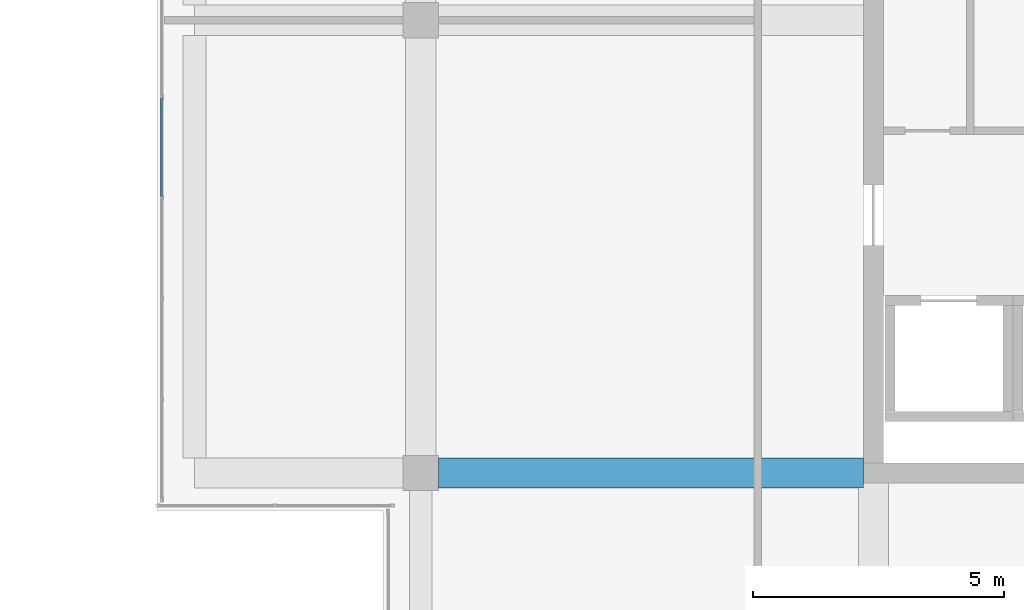
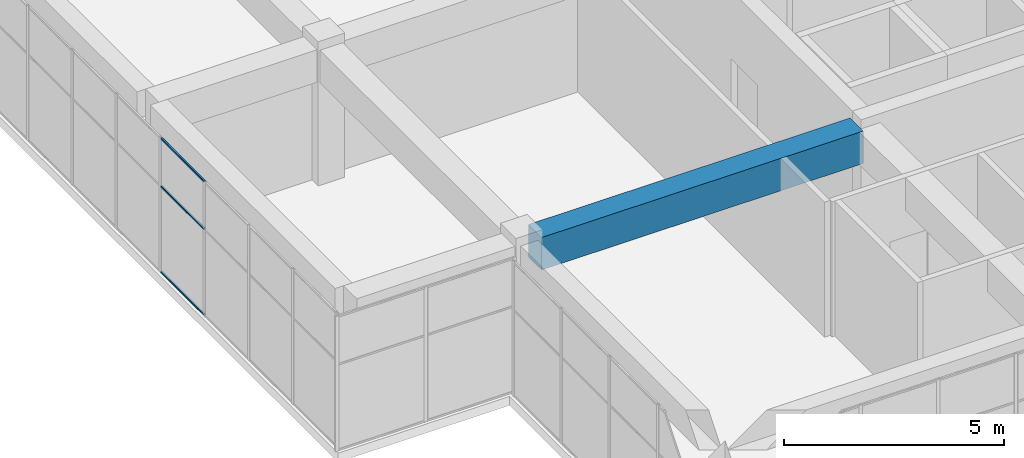
# One storey, part 14 of 43: 3 members, 1 beam, 1 element without a shape of its own.
"""IFC4 building model written with IfcOpenShell, lengths in metres."""

from ifc_helpers import new_model, si_unit, direction, frame, origin, origin_2d, place, context, subcontext, project, spatial, rectangle, hollow_rectangle, extrude, material, layer, layer_set, material_profile, profile_set, type_object, element, aggregate, save


model = new_model("IFC4")

# Units and contexts
model_context = context("Model", 3, precision=1e-05, world=origin(), true_north=direction((0.0, 1.0)))
body_context = subcontext(model_context, "Body", "Model", "MODEL_VIEW")
ifc_project = project(units=[si_unit("LENGTHUNIT", "METRE"), si_unit("AREAUNIT", "SQUARE_METRE"), si_unit("VOLUMEUNIT", "CUBIC_METRE"), si_unit("PLANEANGLEUNIT", "RADIAN"), si_unit("MASSUNIT", "GRAM", prefix="KILO")], contexts=[model_context])

# Site, building, storey
site_placement = place(None, origin())
site = spatial("IfcSite", under=ifc_project, at=site_placement, CompositionType="ELEMENT")
building_placement = place(site_placement, origin())
building = spatial("IfcBuilding", under=site, at=building_placement, Name="Tuart Plaza Theatre", CompositionType="ELEMENT")
storey_placement = place(building_placement, frame((0.0, 0.0, 33.5)))
storey = spatial("IfcBuildingStorey", under=building, at=storey_placement, Name="L08", CompositionType="ELEMENT", Elevation=33.5)

# Beam
ifc_material_1 = material(Name="Concrete N40 (40 MPa)", Category="concrete")
ifc_material_profile_1 = material_profile(ifc_material_1, rectangle(XDim=0.60009765625, YDim=0.89990234375, at=origin_2d()), Name="BEAM 600x900 Concrete N40 (40 MPa)")
ifc_profile_set_1 = profile_set([ifc_material_profile_1], Name="Concrete N40 (40 MPa)")
beam_type = type_object("IfcBeamType", Name="BEAM 600x900 Concrete N40 (40 MPa)", PredefinedType="BEAM", material=ifc_profile_set_1)
beam_placement = place(storey_placement, frame((114.35009765625, 65.0, 3.300048828125), z_axis=(1.0, 0.0, 0.0), x_axis=(0.0, 1.0, 0.0)))
element("IfcBeam", 1, at=beam_placement, inside=storey, type_object=beam_type, Name="RB258", PredefinedType="BEAM", context=body_context, shape_type="SweptSolid", body=[
    extrude(rectangle(XDim=0.60009765625, YDim=0.89990234375, at=origin_2d()), origin(), (0.0, 0.0, 1.0), 8.449951171875),
])

# Curtain wall, members
ifc_material_2 = material(Name="Aluminium and glass", Category="aluminium")
ifc_layer = layer(ifc_material_2, 0.10009765625)
ifc_layer_set = layer_set([ifc_layer], Name="CURTAIN WALL 2000 module")
curtain_wall_type = type_object("IfcCurtainWallType", Name="CURTAIN WALL 2000 module", PredefinedType="NOTDEFINED", material=ifc_layer_set)
curtain_wall_placement = place(storey_placement, origin())
curtain_wall = element("IfcCurtainWall", 2, at=curtain_wall_placement, inside=storey, type_object=curtain_wall_type, Name="CW97", PredefinedType="NOTDEFINED")
ifc_material_3 = material(Name="Aluminium 6063-T5", Category="aluminium")
ifc_material_profile_2 = material_profile(ifc_material_3, hollow_rectangle(XDim=0.050048828125, YDim=0.050048828125, WallThickness=0.00390625, InnerFilletRadius=0.00390625, OuterFilletRadius=0.008056640625, at=origin_2d()), Name="RHS 50x50x4")
ifc_profile_set_2 = profile_set([ifc_material_profile_2], Name="Aluminium 6063-T5")
member_type = type_object("IfcMemberType", Name="TRANSOM RHS 50x50x4", PredefinedType="USERDEFINED", material=ifc_profile_set_2)
member_1_placement = place(storey_placement, frame((108.85009765625, 72.45361328125, 0.02490234375), z_axis=(0.0, -1.0, 0.0), x_axis=(1.0, 0.0, 0.0)))
member_1 = element("IfcMember", 3, at=member_1_placement, type_object=member_type, Name="CW97 transom 11.1", ObjectType="TRANSOM", PredefinedType="USERDEFINED", context=body_context, shape_type="SweptSolid", body=[
    extrude(hollow_rectangle(XDim=0.050048828125, YDim=0.050048828125, WallThickness=0.00390625, InnerFilletRadius=0.00390625, OuterFilletRadius=0.008056640625, at=origin_2d()), origin(), (0.0, 0.0, 1.0), 1.957275390625),
])
member_2_placement = place(storey_placement, frame((108.85009765625, 72.45361328125, 2.39990234375), z_axis=(0.0, -1.0, 0.0), x_axis=(1.0, 0.0, 0.0)))
member_2 = element("IfcMember", 4, at=member_2_placement, type_object=member_type, Name="CW97 transom 11.2", ObjectType="TRANSOM", PredefinedType="USERDEFINED", context=body_context, shape_type="SweptSolid", body=[
    extrude(hollow_rectangle(XDim=0.050048828125, YDim=0.050048828125, WallThickness=0.00390625, InnerFilletRadius=0.00390625, OuterFilletRadius=0.008056640625, at=origin_2d()), origin(), (0.0, 0.0, 1.0), 1.957275390625),
])
member_3_placement = place(storey_placement, frame((108.85009765625, 72.45361328125, 3.72509765625), z_axis=(0.0, -1.0, 0.0), x_axis=(1.0, 0.0, 0.0)))
member_3 = element("IfcMember", 5, at=member_3_placement, type_object=member_type, Name="CW97 transom 11.3", ObjectType="TRANSOM", PredefinedType="USERDEFINED", context=body_context, shape_type="SweptSolid", body=[
    extrude(hollow_rectangle(XDim=0.050048828125, YDim=0.050048828125, WallThickness=0.00390625, InnerFilletRadius=0.00390625, OuterFilletRadius=0.008056640625, at=origin_2d()), origin(), (0.0, 0.0, 1.0), 1.957275390625),
])
aggregate(curtain_wall, [member_1, member_2, member_3])

save(model, "model.ifc")
